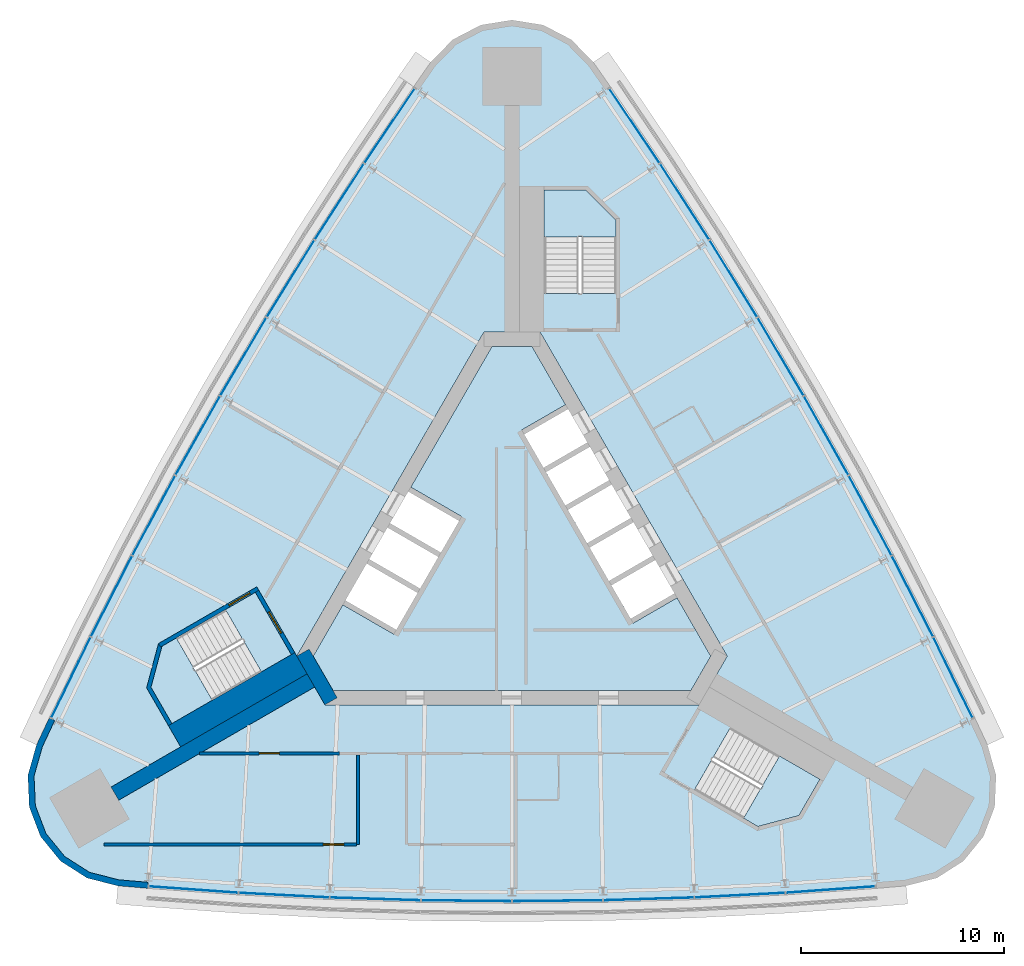
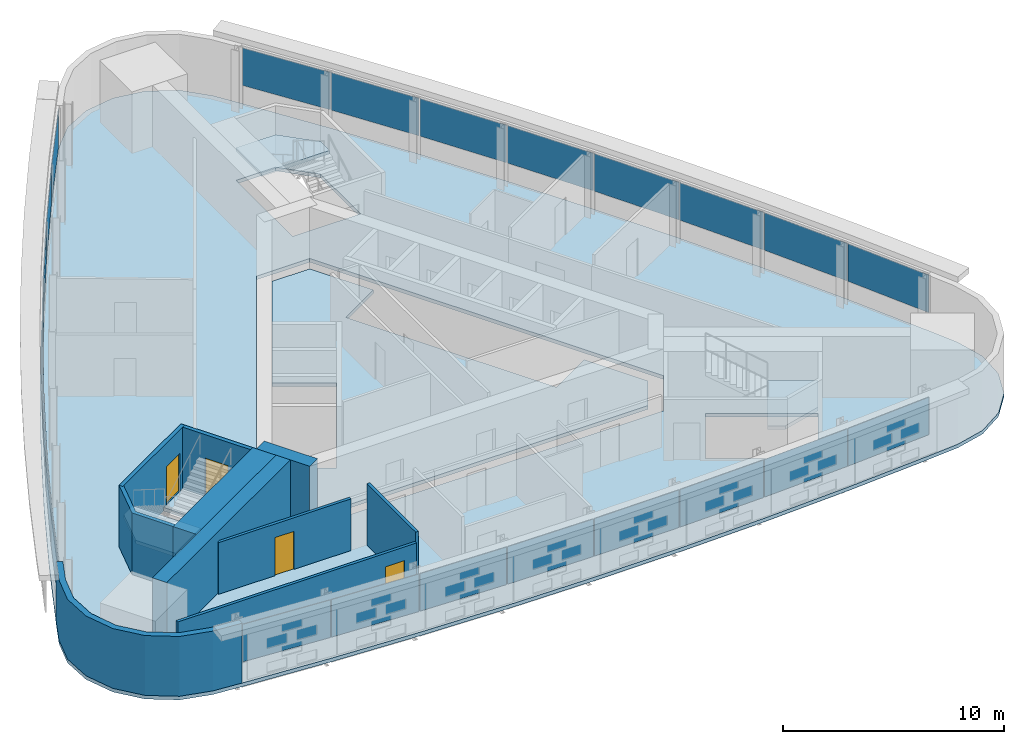
# One storey, part 8 of 13: 24 plates, 10 walls, 5 slabs, 4 doors, 4 openings, 6 elements without a shape of their own.
"""IFC4 building model written with IfcOpenShell, lengths in metres."""

import ifcopenshell
import ifcopenshell.guid

model = None  # the IFC model being written
_history = None  # IfcOwnerHistory: only IFC2X3 demands one
_inside = {}  # id of a spatial element -> (the spatial element, [elements in it])
_under = {}  # id of a project, library or spatial element -> (it, [spatial elements below it])
_declared = {}  # id of a project -> (the project, [libraries it declares])
_typed = {}  # id of a type object -> (the type object, [elements of that type])
_made_of = {}  # id of a material, layer set ... -> (it, [elements and type objects made of it])


def new_model(schema):
    """Start an empty IFC model of exactly this schema.

    Asked for "IFC4X3", IfcOpenShell would pick the latest addendum, in which some entities
    have other attributes; the version numbers below select the first issue.
    IFC2X3 requires an IfcOwnerHistory on every rooted entity: one is made here for all.
    """
    global model, _history
    if schema == "IFC4X3":
        model = ifcopenshell.file(schema_version=(4, 3, 0, 0))
    else:
        model = ifcopenshell.file(schema=schema)
    _inside.clear()
    _under.clear()
    _declared.clear()
    _typed.clear()
    _made_of.clear()
    _history = None
    if model.schema == "IFC2X3":
        org = make("IfcOrganization", Name="unknown")
        user = make(
            "IfcPersonAndOrganization",
            ThePerson=make("IfcPerson", FamilyName="unknown"),
            TheOrganization=org,
        )
        app = make(
            "IfcApplication",
            ApplicationDeveloper=org,
            Version="unknown",
            ApplicationFullName="unknown",
            ApplicationIdentifier="unknown",
        )
        _history = make(
            "IfcOwnerHistory",
            OwningUser=user,
            OwningApplication=app,
            ChangeAction="ADDED",
            CreationDate=0,
        )
    return model


def make(cls, **values):
    """One entity of the class cls with the attributes given. An attribute that is None is left unset."""
    return model.create_entity(
        cls, **{name: value for name, value in values.items() if value is not None}
    )


def rooted(cls, **values):
    """An entity with a GlobalId (a new one), such as an element, a storey or a relation."""
    return make(cls, GlobalId=ifcopenshell.guid.new(), OwnerHistory=_history, **values)


def si_unit(unit_type, name, prefix=None):
    """IfcSIUnit, for example si_unit("LENGTHUNIT", "METRE", prefix="MILLI")."""
    return make("IfcSIUnit", UnitType=unit_type, Prefix=prefix, Name=name)


def assignment(units):
    """IfcUnitAssignment: the units of a project."""
    return None if units is None else make("IfcUnitAssignment", Units=units)


def point(xyz):
    """IfcCartesianPoint."""
    return None if xyz is None else make("IfcCartesianPoint", Coordinates=xyz)


def direction(xyz):
    """IfcDirection."""
    return None if xyz is None else make("IfcDirection", DirectionRatios=xyz)


def frame(location, z_axis=None, x_axis=None):
    """IfcAxis2Placement3D, a coordinate frame: its origin and axes. An axis left out is left unset."""
    return make(
        "IfcAxis2Placement3D",
        Location=point(location),
        Axis=direction(z_axis),
        RefDirection=direction(x_axis),
    )


def frame_2d(location, x_axis=None):
    """IfcAxis2Placement2D, a coordinate frame in the plane: its origin and x axis."""
    return make(
        "IfcAxis2Placement2D", Location=point(location), RefDirection=direction(x_axis)
    )


def origin():
    """The frame at (0, 0, 0) with its axes left unset."""
    return frame((0.0, 0.0, 0.0))


def origin_2d():
    """The frame at (0, 0) in the plane with its x axis left unset."""
    return frame_2d((0.0, 0.0))


def place(relative_to, where):
    """IfcLocalPlacement: puts the frame where relative to a parent placement (None: the world)."""
    return make(
        "IfcLocalPlacement", PlacementRelTo=relative_to, RelativePlacement=where
    )


def context(
    kind, dimensions, precision=None, world=None, true_north=None, identifier=None
):
    """IfcGeometricRepresentationContext, for example the 3D "Model" context."""
    return make(
        "IfcGeometricRepresentationContext",
        ContextIdentifier=identifier,
        ContextType=kind,
        CoordinateSpaceDimension=dimensions,
        Precision=precision,
        WorldCoordinateSystem=world,
        TrueNorth=true_north,
    )


def subcontext(parent, identifier, kind, view, scale=None):
    """IfcGeometricRepresentationSubContext, for example "Body" below "Model"."""
    return make(
        "IfcGeometricRepresentationSubContext",
        ContextIdentifier=identifier,
        ContextType=kind,
        ParentContext=parent,
        TargetScale=scale,
        TargetView=view,
    )


def project(units=None, contexts=None):
    """IfcProject with its units and contexts."""
    return rooted(
        "IfcProject",
        Name="project",
        RepresentationContexts=contexts,
        UnitsInContext=assignment(units),
    )


def spatial(cls, under=None, at=None, **own):
    """A site, building, storey or space (cls), placed at a placement, below another one or the project."""
    s = rooted(cls, ObjectPlacement=at, **own)
    if under is not None:
        _under.setdefault(under.id(), (under, []))[1].append(s)
    return s


def polyline(points):
    """IfcPolyline through the points."""
    return make("IfcPolyline", Points=[point(p) for p in points])


def profile(cls, at=None, kind="AREA", **sizes):
    """A parametric profile (cls). Its sizes go by their IFC names, for example OverallWidth=200.0."""
    return make(cls, ProfileType=kind, Position=at, **sizes)


def rectangle(**sizes):
    """IfcRectangleProfileDef."""
    return profile("IfcRectangleProfileDef", **sizes)


def outline(outer, holes=None, kind="AREA"):
    """IfcArbitraryClosedProfileDef: a profile drawn as a closed curve; with holes, ...WithVoids."""
    if holes is None:
        return make("IfcArbitraryClosedProfileDef", ProfileType=kind, OuterCurve=outer)
    return make(
        "IfcArbitraryProfileDefWithVoids",
        ProfileType=kind,
        OuterCurve=outer,
        InnerCurves=holes,
    )


def extrude(swept, where, along, depth):
    """IfcExtrudedAreaSolid: the profile swept, set in the frame where, extruded along a direction by depth."""
    return make(
        "IfcExtrudedAreaSolid",
        SweptArea=swept,
        Position=where,
        ExtrudedDirection=direction(along),
        Depth=depth,
    )


def shape(context_of_items, identifier, shape_type, items):
    """IfcShapeRepresentation: the items that make up one representation, for example the "Body"."""
    return make(
        "IfcShapeRepresentation",
        ContextOfItems=context_of_items,
        RepresentationIdentifier=identifier,
        RepresentationType=shape_type,
        Items=items,
    )


def material(Name=None, Category=None):
    """IfcMaterial."""
    return make("IfcMaterial", Name=Name, Category=Category)


def layer(
    of_material, thickness, ventilated=None, Name=None, Category=None, Priority=None
):
    """IfcMaterialLayer: one layer of a wall or slab, of a material (None: an air gap)."""
    return make(
        "IfcMaterialLayer",
        Material=of_material,
        LayerThickness=thickness,
        IsVentilated=ventilated,
        Name=Name,
        Category=Category,
        Priority=Priority,
    )


def layer_set(layers, Name=None):
    """IfcMaterialLayerSet."""
    return make("IfcMaterialLayerSet", MaterialLayers=layers, LayerSetName=Name)


def made_of(thing, what):
    """Note that an element or type object is made of a material, layer set ...; save() writes the relation."""
    if what is not None:
        _made_of.setdefault(what.id(), (what, []))[1].append(thing)
    return thing


def type_object(cls, material=None, **own):
    """A type object (cls), such as IfcWallType, which elements share."""
    return made_of(rooted(cls, **own), material)


def element(
    cls,
    number,
    at=None,
    inside=None,
    cuts=None,
    type_object=None,
    material=None,
    context=None,
    identifier="Body",
    shape_type=None,
    held_by="IfcProductDefinitionShape",
    body=None,
    shapes=None,
    **own,
):
    """One element of the class cls, such as IfcWall. Its Tag is "e" and its number.

    at: its placement. inside: the storey or other place that contains it. cuts: it is an
    opening in that element (IfcRelVoidsElement). A single representation is given by context,
    identifier, shape_type and body (its items); several are given by shapes. held_by: the class
    of the entity that holds the representations. save() writes the other relations.
    """
    e = rooted(cls, Tag="e%d" % number, ObjectPlacement=at, **own)
    if body is not None:
        shapes = [shape(context, identifier, shape_type, body)]
    if shapes is not None:
        e.Representation = make(held_by, Representations=shapes)
    if inside is not None:
        _inside.setdefault(inside.id(), (inside, []))[1].append(e)
    if cuts is not None:
        rooted(
            "IfcRelVoidsElement", RelatingBuildingElement=cuts, RelatedOpeningElement=e
        )
    if type_object is not None:
        _typed.setdefault(type_object.id(), (type_object, []))[1].append(e)
    return made_of(e, material)


def fill(opening, filler):
    """IfcRelFillsElement: the door or window that sits in an opening."""
    return rooted(
        "IfcRelFillsElement",
        RelatingOpeningElement=opening,
        RelatedBuildingElement=filler,
    )


def aggregate(whole, parts):
    """IfcRelAggregates: a whole, such as a stair, and the parts it consists of."""
    return rooted("IfcRelAggregates", RelatingObject=whole, RelatedObjects=parts)


def save(model, path):
    """Write the relations noted so far, then the file.

    IfcRelAggregates (storeys below a building ...), IfcRelContainedInSpatialStructure (elements
    in a storey), IfcRelDefinesByType, IfcRelAssociatesMaterial and IfcRelDeclares: one each for
    every whole, place, type object, material and project.
    """
    for whole, parts in _under.values():
        aggregate(whole, parts)
    for where, things in _inside.values():
        rooted(
            "IfcRelContainedInSpatialStructure",
            RelatedElements=things,
            RelatingStructure=where,
        )
    for kind, things in _typed.values():
        rooted("IfcRelDefinesByType", RelatedObjects=things, RelatingType=kind)
    for what, things in _made_of.values():
        rooted("IfcRelAssociatesMaterial", RelatedObjects=things, RelatingMaterial=what)
    for by, libraries in _declared.values():
        rooted("IfcRelDeclares", RelatingContext=by, RelatedDefinitions=libraries)
    model.write(path)


model = new_model("IFC4")

# Units and contexts
model_context = context("Model", 3, precision=1e-05, world=origin(), true_north=direction((0.0, 1.0)))
body_context = subcontext(model_context, "Body", "Model", "MODEL_VIEW")
ifc_project = project(units=[si_unit("LENGTHUNIT", "METRE"), si_unit("AREAUNIT", "SQUARE_METRE"), si_unit("VOLUMEUNIT", "CUBIC_METRE"), si_unit("PLANEANGLEUNIT", "RADIAN"), si_unit("MASSUNIT", "GRAM", prefix="KILO")], contexts=[model_context])

# Site, building, storey
site_placement = place(None, origin())
site = spatial("IfcSite", under=ifc_project, at=site_placement, CompositionType="ELEMENT")
building_placement = place(site_placement, origin())
building = spatial("IfcBuilding", under=site, at=building_placement, Name="Noor Cloister Tower", CompositionType="ELEMENT")
storey_placement = place(building_placement, frame((0.0, 0.0, 143.699951171875)))
storey = spatial("IfcBuildingStorey", under=building, at=storey_placement, Name="L36", CompositionType="ELEMENT", Elevation=143.699951171875)

# Slabs
ifc_material_1 = material(Name="Concrete C40/50", Category="concrete")
ifc_layer_1 = layer(ifc_material_1, 0.199951171875)
ifc_layer_set_1 = layer_set([ifc_layer_1], Name="Core floor slab 200 C40/50")
slab_type_1 = type_object("IfcSlabType", Name="Core floor slab 200 C40/50", PredefinedType="FLOOR", material=ifc_layer_set_1)
slab_1_placement = place(storey_placement, frame((0.0, 0.0, -0.199951171875)))
element("IfcSlab", 1, at=slab_1_placement, inside=storey, type_object=slab_type_1, Name="Core floor L36", PredefinedType="FLOOR", context=body_context, shape_type="SweptSolid", body=[
    extrude(outline(polyline([(2.643798828125, 7.877197265625), (0.9814453125, 10.75634765625), (-0.9814453125, 10.75634765625), (-4.993896484375, 3.806884765625), (-2.482421875, 2.35693359375), (-5.832275390625, -3.4453125), (-8.34375, -1.995361328125), (-9.80615234375, -4.5283203125), (-8.82470703125, -6.228271484375), (8.82470703125, -6.228271484375), (9.80615234375, -4.5283203125), (8.143798828125, -1.64892578125), (5.978759765625, -2.89892578125), (0.478759765625, 6.627197265625), (2.643798828125, 7.877197265625)])), origin(), (0.0, 0.0, 1.0), 0.199951171875),
])
ifc_material_2 = material(Name="Concrete C40/50", Category="concrete")
ifc_layer_2 = layer(ifc_material_2, 0.199951171875)
ifc_layer_set_2 = layer_set([ifc_layer_2], Name="Floor slab 200 C40/50")
slab_type_2 = type_object("IfcSlabType", Name="Floor slab 200 C40/50", PredefinedType="FLOOR", material=ifc_layer_set_2)
slab_2_placement = place(storey_placement, frame((0.0, 0.0, -0.199951171875)))
element("IfcSlab", 2, at=slab_2_placement, inside=storey, type_object=slab_type_2, Name="Floor slab L36", PredefinedType="FLOOR", context=body_context, shape_type="SweptSolid", body=[
    extrude(outline(polyline([(4.013916015625, 24.76708984375), (2.92529296875, 25.88525390625), (1.54052734375, 26.604736328125), (0.0, 26.85302734375), (-1.54052734375, 26.604736328125), (-2.92529296875, 25.88525390625), (-4.013916015625, 24.76708984375), (-4.853271484375, 23.5634765625), (-7.376953125, 19.837646484375), (-9.823486328125, 16.06103515625), (-12.1923828125, 12.235107421875), (-14.482177734375, 8.361328125), (-16.69189453125, 4.44140625), (-18.821044921875, 0.47705078125), (-20.868408203125, -3.5302734375), (-22.833251953125, -7.57861328125), (-23.455810546875, -8.907470703125), (-23.8798828125, -10.4091796875), (-23.810791015625, -11.96826171875), (-23.25537109375, -13.426513671875), (-22.27001953125, -14.636474609375), (-20.95458984375, -15.47607421875), (-19.44189453125, -15.859619140625), (-17.979736328125, -15.98486328125), (-13.491455078125, -16.307373046875), (-8.99755859375, -16.5380859375), (-4.499755859375, -16.67626953125), (0.0, -16.722412109375), (4.499755859375, -16.67626953125), (8.99755859375, -16.5380859375), (13.491455078125, -16.307373046875), (17.979736328125, -15.98486328125), (19.44189453125, -15.859619140625), (20.95458984375, -15.47607421875), (22.27001953125, -14.636474609375), (23.25537109375, -13.426513671875), (23.810791015625, -11.96826171875), (23.8798828125, -10.4091796875), (23.455810546875, -8.907470703125), (22.833251953125, -7.57861328125), (20.868408203125, -3.5302734375), (18.821044921875, 0.47705078125), (16.69189453125, 4.44140625), (14.482177734375, 8.361328125), (12.1923828125, 12.235107421875), (9.823486328125, 16.06103515625), (7.376953125, 19.837646484375), (4.853271484375, 23.5634765625), (4.013916015625, 24.76708984375)]), holes=[polyline([(8.999755859375, -11.126220703125), (12.131591796875, -12.934326171875), (14.1572265625, -12.3916015625), (15.19091796875, -10.601318359375), (10.774658203125, -8.0517578125), (8.999755859375, -11.126220703125)]), polyline([(-17.81005859375, -6.064697265625), (-16.776611328125, -7.85498046875), (-12.3603515625, -5.305419921875), (-14.13525390625, -2.23095703125), (-16.662841796875, -3.690185546875), (-17.267333984375, -4.039306640625), (-17.81005859375, -6.064697265625)]), polyline([(-10.6142578125, -4.5283203125), (-9.228759765625, -6.92822265625), (9.228759765625, -6.92822265625), (10.6142578125, -4.5283203125), (1.3857421875, 11.456298828125), (-1.3857421875, 11.456298828125), (-10.6142578125, -4.5283203125)]), polyline([(3.65283203125, 18.456298828125), (1.585693359375, 18.456298828125), (1.585693359375, 13.35693359375), (5.135498046875, 13.35693359375), (5.135498046875, 16.9736328125), (3.65283203125, 18.456298828125)])]), origin(), (0.0, 0.0, 1.0), 0.199951171875),
])

# Curtain wall, plates
ifc_material_3 = material(Name="Aluminium 6063-T6 anodised", Category="aluminium")
curtain_wall_type = type_object("IfcCurtainWallType", Name="Ribbon curtain wall, upper tower CW5", PredefinedType="NOTDEFINED", material=ifc_material_3)
curtain_wall_1_placement = place(storey_placement, origin())
curtain_wall_1 = element("IfcCurtainWall", 3, at=curtain_wall_1_placement, inside=storey, type_object=curtain_wall_type, Name="CW5 L36 NW run 1", PredefinedType="NOTDEFINED")
ifc_material_4 = material(Name="Clear laminated glass 2 x 8 mm", Category="glass")
ifc_layer_3 = layer(ifc_material_4, 0.028076171875)
ifc_layer_set_3 = layer_set([ifc_layer_3], Name="Glass panel CW5")
plate_type = type_object("IfcPlateType", Name="Glass panel CW5", PredefinedType="CURTAIN_PANEL", material=ifc_layer_set_3)
plate_1_placement = place(storey_placement, frame((-6.041748046875, 21.63037109375, 1.08984375), z_axis=(0.0, 0.0, 1.0), x_axis=(-0.560807382092, -0.827946302722, 0.0)))
plate_1 = element("IfcPlate", 4, at=plate_1_placement, type_object=plate_type, Name="CW5 glass panel 1", PredefinedType="CURTAIN_PANEL", context=body_context, shape_type="SweptSolid", body=[
    extrude(rectangle(XDim=4.413818359375, YDim=0.028076171875, at=origin_2d()), origin(), (0.0, 0.0, 1.0), 2.070068359375),
])
plate_2_placement = place(storey_placement, frame((-8.516357421875, 17.89501953125, 1.08984375), z_axis=(0.0, 0.0, 1.0), x_axis=(-0.543714986817, -0.839269928635, 0.0)))
plate_2 = element("IfcPlate", 5, at=plate_2_placement, type_object=plate_type, Name="CW5 glass panel 2", PredefinedType="CURTAIN_PANEL", context=body_context, shape_type="SweptSolid", body=[
    extrude(rectangle(XDim=4.44775390625, YDim=0.028076171875, at=origin_2d()), origin(), (0.0, 0.0, 1.0), 2.070068359375),
])
plate_3_placement = place(storey_placement, frame((-10.9228515625, 14.095458984375, 1.08984375), z_axis=(0.0, 0.0, 1.0), x_axis=(-0.526394042476, -0.850240737701, 0.0)))
plate_3 = element("IfcPlate", 6, at=plate_3_placement, type_object=plate_type, Name="CW5 glass panel 3", PredefinedType="CURTAIN_PANEL", context=body_context, shape_type="SweptSolid", body=[
    extrude(rectangle(XDim=4.44775390625, YDim=0.028076171875, at=origin_2d()), origin(), (0.0, 0.0, 1.0), 2.070068359375),
])
plate_4_placement = place(storey_placement, frame((-13.251220703125, 10.247314453125, 1.08984375), z_axis=(0.0, 0.0, 1.0), x_axis=(-0.508851800866, -0.860854136748, 0.0)))
plate_4 = element("IfcPlate", 7, at=plate_4_placement, type_object=plate_type, Name="CW5 glass panel 4", PredefinedType="CURTAIN_PANEL", context=body_context, shape_type="SweptSolid", body=[
    extrude(rectangle(XDim=4.44775390625, YDim=0.028076171875, at=origin_2d()), origin(), (0.0, 0.0, 1.0), 2.070068359375),
])
plate_5_placement = place(storey_placement, frame((-15.5, 6.352294921875, 1.08984375), z_axis=(0.0, 0.0, 1.0), x_axis=(-0.491095650944, -0.871105654685, 0.0)))
plate_5 = element("IfcPlate", 8, at=plate_5_placement, type_object=plate_type, Name="CW5 glass panel 5", PredefinedType="CURTAIN_PANEL", context=body_context, shape_type="SweptSolid", body=[
    extrude(rectangle(XDim=4.44775390625, YDim=0.028076171875, at=origin_2d()), origin(), (0.0, 0.0, 1.0), 2.070068359375),
])
plate_6_placement = place(storey_placement, frame((-17.66845703125, 2.411865234375, 1.08984375), z_axis=(0.0, 0.0, 1.0), x_axis=(-0.473133056943, -0.880990982035, 0.0)))
plate_6 = element("IfcPlate", 9, at=plate_6_placement, type_object=plate_type, Name="CW5 glass panel 6", PredefinedType="CURTAIN_PANEL", context=body_context, shape_type="SweptSolid", body=[
    extrude(rectangle(XDim=4.44775390625, YDim=0.028076171875, at=origin_2d()), origin(), (0.0, 0.0, 1.0), 2.070068359375),
])
plate_7_placement = place(storey_placement, frame((-19.755615234375, -1.572021484375, 1.08984375), z_axis=(0.0, 0.0, 1.0), x_axis=(-0.454971585422, -0.890505955319, 0.0)))
plate_7 = element("IfcPlate", 10, at=plate_7_placement, type_object=plate_type, Name="CW5 glass panel 7", PredefinedType="CURTAIN_PANEL", context=body_context, shape_type="SweptSolid", body=[
    extrude(rectangle(XDim=4.44775390625, YDim=0.028076171875, at=origin_2d()), origin(), (0.0, 0.0, 1.0), 2.070068359375),
])
plate_8_placement = place(storey_placement, frame((-21.75341796875, -5.582763671875, 1.08984375), z_axis=(0.0, 0.0, 1.0), x_axis=(-0.436618840081, -0.899646590882, 0.0)))
plate_8 = element("IfcPlate", 11, at=plate_8_placement, type_object=plate_type, Name="CW5 glass panel 8", PredefinedType="CURTAIN_PANEL", context=body_context, shape_type="SweptSolid", body=[
    extrude(rectangle(XDim=4.413818359375, YDim=0.028076171875, at=origin_2d()), origin(), (0.0, 0.0, 1.0), 2.070068359375),
])
aggregate(curtain_wall_1, [plate_1, plate_2, plate_3, plate_4, plate_5, plate_6, plate_7, plate_8])

curtain_wall_2_placement = place(storey_placement, origin())
curtain_wall_2 = element("IfcCurtainWall", 12, at=curtain_wall_2_placement, inside=storey, type_object=curtain_wall_type, Name="CW5 L36 S run 2", PredefinedType="NOTDEFINED")
plate_9_placement = place(storey_placement, frame((-15.71142578125, -16.047607421875, 1.08984375), z_axis=(0.0, 0.0, 1.0), x_axis=(0.997426222173, -0.07170028816, 0.0)))
plate_9 = element("IfcPlate", 13, at=plate_9_placement, type_object=plate_type, Name="CW5 glass panel 1", PredefinedType="CURTAIN_PANEL", context=body_context, shape_type="SweptSolid", body=[
    extrude(rectangle(XDim=4.413818359375, YDim=0.028076171875, at=origin_2d()), origin(), (0.0, 0.0, 1.0), 2.070068359375),
])
plate_10_placement = place(storey_placement, frame((-11.2392578125, -16.32275390625, 1.08984375), z_axis=(0.0, 0.0, 1.0), x_axis=(0.998686572239, -0.051236026684, 0.0)))
plate_10 = element("IfcPlate", 14, at=plate_10_placement, type_object=plate_type, Name="CW5 glass panel 2", PredefinedType="CURTAIN_PANEL", context=body_context, shape_type="SweptSolid", body=[
    extrude(rectangle(XDim=4.44775390625, YDim=0.028076171875, at=origin_2d()), origin(), (0.0, 0.0, 1.0), 2.070068359375),
])
plate_11_placement = place(storey_placement, frame((-6.74560546875, -16.50732421875, 1.08984375), z_axis=(0.0, 0.0, 1.0), x_axis=(0.999527099419, -0.030750244335, 0.0)))
plate_11 = element("IfcPlate", 15, at=plate_11_placement, type_object=plate_type, Name="CW5 glass panel 3", PredefinedType="CURTAIN_PANEL", context=body_context, shape_type="SweptSolid", body=[
    extrude(rectangle(XDim=4.44775390625, YDim=0.028076171875, at=origin_2d()), origin(), (0.0, 0.0, 1.0), 2.070068359375),
])
plate_12_placement = place(storey_placement, frame((-2.248779296875, -16.599365234375, 1.08984375), z_axis=(0.0, 0.0, 1.0), x_axis=(0.999947451809, -0.010251517937, 0.0)))
plate_12 = element("IfcPlate", 16, at=plate_12_placement, type_object=plate_type, Name="CW5 glass panel 4", PredefinedType="CURTAIN_PANEL", context=body_context, shape_type="SweptSolid", body=[
    extrude(rectangle(XDim=4.44775390625, YDim=0.028076171875, at=origin_2d()), origin(), (0.0, 0.0, 1.0), 2.070068359375),
])
plate_13_placement = place(storey_placement, frame((2.248779296875, -16.599365234375, 1.08984375), z_axis=(0.0, 0.0, 1.0), x_axis=(0.999947451809, 0.010251517937, 0.0)))
plate_13 = element("IfcPlate", 17, at=plate_13_placement, type_object=plate_type, Name="CW5 glass panel 5", PredefinedType="CURTAIN_PANEL", context=body_context, shape_type="SweptSolid", body=[
    extrude(rectangle(XDim=4.44775390625, YDim=0.028076171875, at=origin_2d()), origin(), (0.0, 0.0, 1.0), 2.070068359375),
])
plate_14_placement = place(storey_placement, frame((6.74560546875, -16.50732421875, 1.08984375), z_axis=(0.0, 0.0, 1.0), x_axis=(0.999527099419, 0.030750244335, 0.0)))
plate_14 = element("IfcPlate", 18, at=plate_14_placement, type_object=plate_type, Name="CW5 glass panel 6", PredefinedType="CURTAIN_PANEL", context=body_context, shape_type="SweptSolid", body=[
    extrude(rectangle(XDim=4.44775390625, YDim=0.028076171875, at=origin_2d()), origin(), (0.0, 0.0, 1.0), 2.070068359375),
])
plate_15_placement = place(storey_placement, frame((11.2392578125, -16.32275390625, 1.08984375), z_axis=(0.0, 0.0, 1.0), x_axis=(0.998686572239, 0.051236026684, 0.0)))
plate_15 = element("IfcPlate", 19, at=plate_15_placement, type_object=plate_type, Name="CW5 glass panel 7", PredefinedType="CURTAIN_PANEL", context=body_context, shape_type="SweptSolid", body=[
    extrude(rectangle(XDim=4.44775390625, YDim=0.028076171875, at=origin_2d()), origin(), (0.0, 0.0, 1.0), 2.070068359375),
])
plate_16_placement = place(storey_placement, frame((15.71142578125, -16.047607421875, 1.08984375), z_axis=(0.0, 0.0, 1.0), x_axis=(0.997426222173, 0.07170028816, 0.0)))
plate_16 = element("IfcPlate", 20, at=plate_16_placement, type_object=plate_type, Name="CW5 glass panel 8", PredefinedType="CURTAIN_PANEL", context=body_context, shape_type="SweptSolid", body=[
    extrude(rectangle(XDim=4.413818359375, YDim=0.028076171875, at=origin_2d()), origin(), (0.0, 0.0, 1.0), 2.070068359375),
])
aggregate(curtain_wall_2, [plate_9, plate_10, plate_11, plate_12, plate_13, plate_14, plate_15, plate_16])

curtain_wall_3_placement = place(storey_placement, origin())
curtain_wall_3 = element("IfcCurtainWall", 21, at=curtain_wall_3_placement, inside=storey, type_object=curtain_wall_type, Name="CW5 L36 NE run 3", PredefinedType="NOTDEFINED")
plate_17_placement = place(storey_placement, frame((21.75341796875, -5.582763671875, 1.08984375), z_axis=(0.0, 0.0, 1.0), x_axis=(-0.436618840081, 0.899646590882, 0.0)))
plate_17 = element("IfcPlate", 22, at=plate_17_placement, type_object=plate_type, Name="CW5 glass panel 1", PredefinedType="CURTAIN_PANEL", context=body_context, shape_type="SweptSolid", body=[
    extrude(rectangle(XDim=4.413818359375, YDim=0.028076171875, at=origin_2d()), origin(), (0.0, 0.0, 1.0), 2.070068359375),
])
plate_18_placement = place(storey_placement, frame((19.755615234375, -1.572021484375, 1.08984375), z_axis=(0.0, 0.0, 1.0), x_axis=(-0.454971585422, 0.890505955319, 0.0)))
plate_18 = element("IfcPlate", 23, at=plate_18_placement, type_object=plate_type, Name="CW5 glass panel 2", PredefinedType="CURTAIN_PANEL", context=body_context, shape_type="SweptSolid", body=[
    extrude(rectangle(XDim=4.44775390625, YDim=0.028076171875, at=origin_2d()), origin(), (0.0, 0.0, 1.0), 2.070068359375),
])
plate_19_placement = place(storey_placement, frame((17.66845703125, 2.411865234375, 1.08984375), z_axis=(0.0, 0.0, 1.0), x_axis=(-0.473133056943, 0.880990982035, 0.0)))
plate_19 = element("IfcPlate", 24, at=plate_19_placement, type_object=plate_type, Name="CW5 glass panel 3", PredefinedType="CURTAIN_PANEL", context=body_context, shape_type="SweptSolid", body=[
    extrude(rectangle(XDim=4.44775390625, YDim=0.028076171875, at=origin_2d()), origin(), (0.0, 0.0, 1.0), 2.070068359375),
])
plate_20_placement = place(storey_placement, frame((15.5, 6.352294921875, 1.08984375), z_axis=(0.0, 0.0, 1.0), x_axis=(-0.491095650944, 0.871105654685, 0.0)))
plate_20 = element("IfcPlate", 25, at=plate_20_placement, type_object=plate_type, Name="CW5 glass panel 4", PredefinedType="CURTAIN_PANEL", context=body_context, shape_type="SweptSolid", body=[
    extrude(rectangle(XDim=4.44775390625, YDim=0.028076171875, at=origin_2d()), origin(), (0.0, 0.0, 1.0), 2.070068359375),
])
plate_21_placement = place(storey_placement, frame((13.251220703125, 10.247314453125, 1.08984375), z_axis=(0.0, 0.0, 1.0), x_axis=(-0.508851800866, 0.860854136748, 0.0)))
plate_21 = element("IfcPlate", 26, at=plate_21_placement, type_object=plate_type, Name="CW5 glass panel 5", PredefinedType="CURTAIN_PANEL", context=body_context, shape_type="SweptSolid", body=[
    extrude(rectangle(XDim=4.44775390625, YDim=0.028076171875, at=origin_2d()), origin(), (0.0, 0.0, 1.0), 2.070068359375),
])
plate_22_placement = place(storey_placement, frame((10.9228515625, 14.095458984375, 1.08984375), z_axis=(0.0, 0.0, 1.0), x_axis=(-0.526394042476, 0.850240737701, 0.0)))
plate_22 = element("IfcPlate", 27, at=plate_22_placement, type_object=plate_type, Name="CW5 glass panel 6", PredefinedType="CURTAIN_PANEL", context=body_context, shape_type="SweptSolid", body=[
    extrude(rectangle(XDim=4.44775390625, YDim=0.028076171875, at=origin_2d()), origin(), (0.0, 0.0, 1.0), 2.070068359375),
])
plate_23_placement = place(storey_placement, frame((8.516357421875, 17.89501953125, 1.08984375), z_axis=(0.0, 0.0, 1.0), x_axis=(-0.543714986817, 0.839269928635, 0.0)))
plate_23 = element("IfcPlate", 28, at=plate_23_placement, type_object=plate_type, Name="CW5 glass panel 7", PredefinedType="CURTAIN_PANEL", context=body_context, shape_type="SweptSolid", body=[
    extrude(rectangle(XDim=4.44775390625, YDim=0.028076171875, at=origin_2d()), origin(), (0.0, 0.0, 1.0), 2.070068359375),
])
plate_24_placement = place(storey_placement, frame((6.041748046875, 21.63037109375, 1.08984375), z_axis=(0.0, 0.0, 1.0), x_axis=(-0.560807382092, 0.827946302722, 0.0)))
plate_24 = element("IfcPlate", 29, at=plate_24_placement, type_object=plate_type, Name="CW5 glass panel 8", PredefinedType="CURTAIN_PANEL", context=body_context, shape_type="SweptSolid", body=[
    extrude(rectangle(XDim=4.413818359375, YDim=0.028076171875, at=origin_2d()), origin(), (0.0, 0.0, 1.0), 2.070068359375),
])
aggregate(curtain_wall_3, [plate_17, plate_18, plate_19, plate_20, plate_21, plate_22, plate_23, plate_24])

# Stair, slab
ifc_material_5 = material(Name="Concrete C40/50", Category="concrete")
stair_type = type_object("IfcStairType", Name="Exit stair 22 risers", PredefinedType="HALF_TURN_STAIR", material=ifc_material_5)
stair_1_placement = place(storey_placement, origin())
stair_1 = element("IfcStair", 30, at=stair_1_placement, inside=storey, type_object=stair_type, Name="Exit stair ST1 L36", PredefinedType="HALF_TURN_STAIR")
ifc_material_6 = material(Name="Concrete C40/50", Category="concrete")
ifc_layer_4 = layer(ifc_material_6, 0.199951171875)
ifc_layer_set_4 = layer_set([ifc_layer_4], Name="Stair landing 200 C40/50")
slab_type_3 = type_object("IfcSlabType", Name="Stair landing 200 C40/50", PredefinedType="LANDING", material=ifc_layer_set_4)
slab_3_placement = place(storey_placement, frame((0.0, 0.0, 1.60009765625)))
slab_3 = element("IfcSlab", 31, at=slab_3_placement, type_object=slab_type_3, Name="ST1 landing 1", PredefinedType="LANDING", context=body_context, shape_type="SweptSolid", body=[
    extrude(outline(polyline([(5.135498046875, 16.15576171875), (5.135498046875, 16.9736328125), (3.65283203125, 18.456298828125), (1.585693359375, 18.456298828125), (1.585693359375, 16.15576171875), (5.135498046875, 16.15576171875)])), origin(), (0.0, 0.0, 1.0), 0.199951171875),
])
aggregate(stair_1, [slab_3])

stair_2_placement = place(storey_placement, origin())
stair_2 = element("IfcStair", 32, at=stair_2_placement, inside=storey, type_object=stair_type, Name="Exit stair ST2 L36", PredefinedType="HALF_TURN_STAIR")
slab_4_placement = place(storey_placement, frame((0.0, 0.0, 1.60009765625)))
slab_4 = element("IfcSlab", 33, at=slab_4_placement, type_object=slab_type_3, Name="ST2 landing 1", PredefinedType="LANDING", context=body_context, shape_type="SweptSolid", body=[
    extrude(outline(polyline([(-16.55908203125, -3.63037109375), (-17.267333984375, -4.039306640625), (-17.81005859375, -6.064697265625), (-16.776611328125, -7.85498046875), (-14.7841796875, -6.70458984375), (-16.55908203125, -3.63037109375)])), origin(), (0.0, 0.0, 1.0), 0.199951171875),
])
aggregate(stair_2, [slab_4])

stair_3_placement = place(storey_placement, origin())
stair_3 = element("IfcStair", 34, at=stair_3_placement, inside=storey, type_object=stair_type, Name="Exit stair ST3 L36", PredefinedType="HALF_TURN_STAIR")
slab_5_placement = place(storey_placement, frame((0.0, 0.0, 1.60009765625)))
slab_5 = element("IfcSlab", 35, at=slab_5_placement, type_object=slab_type_3, Name="ST3 landing 1", PredefinedType="LANDING", context=body_context, shape_type="SweptSolid", body=[
    extrude(outline(polyline([(11.423583984375, -12.525390625), (12.131591796875, -12.934326171875), (14.1572265625, -12.3916015625), (15.19091796875, -10.601318359375), (13.198486328125, -9.451171875), (11.423583984375, -12.525390625)])), origin(), (0.0, 0.0, 1.0), 0.199951171875),
])
aggregate(stair_3, [slab_5])

# Walls
ifc_material_7 = material(Name="Concrete C70/85", Category="concrete")
ifc_layer_5 = layer(ifc_material_7, 0.75)
ifc_layer_set_5 = layer_set([ifc_layer_5], Name="Buttress wall 750 C70/85")
wall_type_1 = type_object("IfcWallType", Name="Buttress wall 750 C70/85", PredefinedType="SHEAR", material=ifc_layer_set_5)
wall_1_placement = place(storey_placement, frame((-9.921630859375, -5.728271484375, -0.199951171875), z_axis=(0.0, 0.0, 1.0), x_axis=(-0.866023928423, -0.500002555393, 0.0)))
element("IfcWall", 36, at=wall_1_placement, inside=storey, type_object=wall_type_1, Name="Buttress wall SW L36", PredefinedType="SHEAR", context=body_context, shape_type="SweptSolid", body=[
    extrude(rectangle(XDim=11.16650390625, YDim=0.75, at=frame_2d((5.583251953125, 0.0))), origin(), (0.0, 0.0, 1.0), 3.60009765625),
])
ifc_material_8 = material(Name="Concrete C70/85", Category="concrete")
ifc_layer_6 = layer(ifc_material_8, 0.699951171875)
ifc_layer_set_6 = layer_set([ifc_layer_6], Name="Core wall 700 C70/85")
wall_type_2 = type_object("IfcWallType", Name="Core wall 700 C70/85", PredefinedType="SHEAR", material=ifc_layer_set_6)
wall_2_placement = place(storey_placement, frame((-10.311279296875, -4.353271484375, -0.199951171875), z_axis=(0.0, 0.0, 1.0), x_axis=(0.500042739161, -0.866000726912, 0.0)))
element("IfcWall", 37, at=wall_2_placement, inside=storey, type_object=wall_type_2, Name="Core wall L36 6", PredefinedType="SHEAR", context=body_context, shape_type="SweptSolid", body=[
    extrude(rectangle(XDim=2.771240234375, YDim=0.699951171875, at=frame_2d((1.3857421875, 0.0))), origin(), (0.0, 0.0, 1.0), 3.60009765625),
])

# Wall, opening, door
ifc_material_9 = material(Name="Gypsum board partition on steel studs, 150 mm", Category="steel")
ifc_layer_7 = layer(ifc_material_9, 0.14990234375)
ifc_layer_set_7 = layer_set([ifc_layer_7], Name="Flat wall 150")
wall_type_3 = type_object("IfcWallType", Name="Flat wall 150", PredefinedType="PARTITIONING", material=ifc_layer_set_7)
wall_3_placement = place(storey_placement, frame((-15.406982421875, -9.328125, 0.0), z_axis=(0.0, 0.0, 1.0), x_axis=(1.0, 0.0, 0.0)))
wall_3 = element("IfcWall", 38, at=wall_3_placement, inside=storey, type_object=wall_type_3, Name="Wall L36-W08", PredefinedType="PARTITIONING", context=body_context, shape_type="SweptSolid", body=[
    extrude(rectangle(XDim=6.905517578125, YDim=0.14990234375, at=frame_2d((3.45263671875, 0.0))), origin(), (0.0, 0.0, 1.0), 2.85205078125),
])
opening_1_placement = place(wall_3_placement, frame((2.927734375, 0.0, 0.0)))
opening_1 = element("IfcOpeningElement", 39, at=opening_1_placement, cuts=wall_3, Name="Opening L36-007", PredefinedType="OPENING", context=body_context, shape_type="SweptSolid", body=[
    extrude(rectangle(XDim=1.0, YDim=2.10009765625, at=frame_2d((0.5, 1.050048828125))), frame((0.0, 0.0849609375, 0.0), z_axis=(0.0, -1.0, 0.0), x_axis=(1.0, 0.0, 0.0)), (0.0, 0.0, 1.0), 0.169921875),
])
ifc_material_10 = material(Name="Timber door leaf with steel frame", Category="steel")
door_type_1 = type_object("IfcDoorType", Name="Interior door 1000 FD60", OperationType="NOTDEFINED", PredefinedType="DOOR", material=ifc_material_10)
door_1_placement = place(opening_1_placement, origin())
door_1 = element("IfcDoor", 40, at=door_1_placement, inside=storey, type_object=door_type_1, Name="Door L36-007", OperationType="SINGLE_SWING_LEFT", OverallHeight=2.10009765625, OverallWidth=1.0, PredefinedType="DOOR", context=body_context, shape_type="SweptSolid", body=[
    extrude(rectangle(XDim=1.0, YDim=2.10009765625, at=frame_2d((0.5, 1.050048828125))), frame((0.0, 0.02490234375, 0.0), z_axis=(0.0, -1.0, 0.0), x_axis=(1.0, 0.0, 0.0)), (0.0, 0.0, 1.0), 0.050048828125),
])
fill(opening_1, door_1)

# Wall
wall_4_placement = place(storey_placement, frame((-7.599853515625, -9.4033203125, 0.0), z_axis=(0.0, 0.0, 1.0), x_axis=(0.0, -1.0, 0.0)))
element("IfcWall", 41, at=wall_4_placement, inside=storey, type_object=wall_type_3, Name="Wall L36-W12", PredefinedType="PARTITIONING", context=body_context, shape_type="SweptSolid", body=[
    extrude(rectangle(XDim=4.41650390625, YDim=0.14990234375, at=frame_2d((2.208251953125, 0.0))), origin(), (0.0, 0.0, 1.0), 3.400146484375),
])

# Wall, opening, door
wall_5_placement = place(storey_placement, frame((-20.136474609375, -13.81982421875, 0.0), z_axis=(0.0, 0.0, 1.0), x_axis=(1.0, 0.0, 0.0)))
wall_5 = element("IfcWall", 42, at=wall_5_placement, inside=storey, type_object=wall_type_3, Name="Wall L36-W14", PredefinedType="PARTITIONING", context=body_context, shape_type="SweptSolid", body=[
    extrude(rectangle(XDim=12.461669921875, YDim=0.14990234375, at=frame_2d((6.23095703125, 0.0))), origin(), (0.0, 0.0, 1.0), 2.85205078125),
])
opening_2_placement = place(wall_5_placement, frame((10.836669921875, 0.0, 0.0)))
opening_2 = element("IfcOpeningElement", 43, at=opening_2_placement, cuts=wall_5, Name="Opening L36-006", PredefinedType="OPENING", context=body_context, shape_type="SweptSolid", body=[
    extrude(rectangle(XDim=1.0, YDim=2.10009765625, at=frame_2d((0.5, 1.050048828125))), frame((0.0, 0.0849609375, 0.0), z_axis=(0.0, -1.0, 0.0), x_axis=(1.0, 0.0, 0.0)), (0.0, 0.0, 1.0), 0.169921875),
])
door_2_placement = place(opening_2_placement, origin())
door_2 = element("IfcDoor", 44, at=door_2_placement, inside=storey, type_object=door_type_1, Name="Door L36-006", OperationType="SINGLE_SWING_RIGHT", OverallHeight=2.10009765625, OverallWidth=1.0, PredefinedType="DOOR", context=body_context, shape_type="SweptSolid", body=[
    extrude(rectangle(XDim=1.0, YDim=2.10009765625, at=frame_2d((0.5, 1.050048828125))), frame((0.0, 0.02490234375, 0.0), z_axis=(0.0, -1.0, 0.0), x_axis=(1.0, 0.0, 0.0)), (0.0, 0.0, 1.0), 0.050048828125),
])
fill(opening_2, door_2)

# Walls
ifc_material_11 = material(Name="Limestone", Category="masonry")
ifc_layer_8 = layer(ifc_material_11, 0.300048828125)
ifc_layer_set_8 = layer_set([ifc_layer_8], Name="Limestone cladding 300")
wall_type_4 = type_object("IfcWallType", Name="Limestone cladding 300", PredefinedType="NOTDEFINED", material=ifc_layer_set_8)
wall_6_placement = place(storey_placement, origin())
element("IfcWall", 45, at=wall_6_placement, inside=storey, type_object=wall_type_4, Name="Limestone pier cladding L36 1.1", PredefinedType="NOTDEFINED", context=body_context, shape_type="SweptSolid", body=[
    extrude(outline(polyline([(-22.833251953125, -7.57861328125), (-23.455810546875, -8.907470703125), (-23.8798828125, -10.4091796875), (-23.810791015625, -11.96826171875), (-23.25537109375, -13.426513671875), (-22.27001953125, -14.636474609375), (-20.95458984375, -15.47607421875), (-19.44189453125, -15.859619140625), (-17.979736328125, -15.98486328125), (-17.954345703125, -15.685791015625), (-19.39208984375, -15.56298828125), (-20.833984375, -15.197021484375), (-22.06787109375, -14.40966796875), (-22.9921875, -13.274658203125), (-23.51318359375, -11.906494140625), (-23.578125, -10.444091796875), (-23.173828125, -9.012451171875), (-22.5615234375, -7.705810546875), (-22.833251953125, -7.57861328125)])), origin(), (0.0, 0.0, 1.0), 3.300048828125),
])
ifc_material_12 = material(Name="Concrete C70/85", Category="concrete")
ifc_layer_9 = layer(ifc_material_12, 1.2109375)
ifc_layer_set_9 = layer_set([ifc_layer_9], Name="Stair enclosure wall 1211 C70/85")
wall_type_5 = type_object("IfcWallType", Name="Stair enclosure wall 1211 C70/85", PredefinedType="SHEAR", material=ifc_layer_set_9)
wall_7_placement = place(storey_placement, frame((-10.41162109375, -4.879150390625, -0.199951171875), z_axis=(0.0, 0.0, 1.0), x_axis=(-0.866026919366, -0.499997374926, 0.0)))
element("IfcWall", 46, at=wall_7_placement, inside=storey, type_object=wall_type_5, Name="Stair enclosure wall ST2 L36 riser side", PredefinedType="SHEAR", context=body_context, shape_type="SweptSolid", body=[
    extrude(rectangle(XDim=7.2001953125, YDim=1.210693359375, at=frame_2d((3.60009765625, 0.0))), origin(), (0.0, 0.0, 1.0), 3.60009765625),
])

# Wall, opening, door
ifc_material_13 = material(Name="Concrete C70/85", Category="concrete")
ifc_layer_10 = layer(ifc_material_13, 0.199951171875)
ifc_layer_set_10 = layer_set([ifc_layer_10], Name="Stair enclosure wall 200 C70/85")
wall_type_6 = type_object("IfcWallType", Name="Stair enclosure wall 200 C70/85", PredefinedType="SHEAR", material=ifc_layer_set_10)
wall_8_placement = place(storey_placement, frame((-12.575927734375, -1.33056640625, -0.199951171875), z_axis=(0.0, 0.0, 1.0), x_axis=(0.499970499736, -0.8660424351, 0.0)))
wall_8 = element("IfcWall", 47, at=wall_8_placement, inside=storey, type_object=wall_type_6, Name="Stair enclosure wall ST2 L36 near end", PredefinedType="SHEAR", context=body_context, shape_type="SweptSolid", body=[
    extrude(rectangle(XDim=3.550048828125, YDim=0.199951171875, at=frame_2d((1.77490234375, 0.0))), origin(), (0.0, 0.0, 1.0), 3.60009765625),
])
opening_3_placement = place(wall_8_placement, frame((1.175048828125, 0.0, 0.199951171875)))
opening_3 = element("IfcOpeningElement", 48, at=opening_3_placement, cuts=wall_8, Name="Opening L36-ST2L", PredefinedType="OPENING", context=body_context, shape_type="SweptSolid", body=[
    extrude(rectangle(XDim=1.199951171875, YDim=2.10009765625, at=frame_2d((0.60009765625, 1.050048828125))), frame((0.0, 0.10986328125, 0.0), z_axis=(0.0, -1.0, 0.0), x_axis=(1.0, 0.0, 0.0)), (0.0, 0.0, 1.0), 0.219970703125),
])
ifc_material_14 = material(Name="Steel", Category="steel")
door_type_2 = type_object("IfcDoorType", Name="Stair door 1200 x 2100 FD120", OperationType="SINGLE_SWING_LEFT", PredefinedType="DOOR", material=ifc_material_14)
door_3_placement = place(opening_3_placement, origin())
door_3 = element("IfcDoor", 49, at=door_3_placement, inside=storey, type_object=door_type_2, Name="Stair door ST2 L36", OperationType="SINGLE_SWING_RIGHT", OverallHeight=2.10009765625, OverallWidth=1.199951171875, PredefinedType="DOOR", context=body_context, shape_type="SweptSolid", body=[
    extrude(rectangle(XDim=1.199951171875, YDim=2.10009765625, at=frame_2d((0.60009765625, 1.050048828125))), frame((0.0, 0.02490234375, 0.0), z_axis=(0.0, -1.0, 0.0), x_axis=(1.0, 0.0, 0.0)), (0.0, 0.0, 1.0), 0.050048828125),
])
fill(opening_3, door_3)

wall_9_placement = place(storey_placement, frame((-12.539306640625, -1.194091796875, -0.199951171875), z_axis=(0.0, 0.0, 1.0), x_axis=(-0.866045472092, -0.499965239061, 0.0)))
wall_9 = element("IfcWall", 50, at=wall_9_placement, inside=storey, type_object=wall_type_6, Name="Stair enclosure wall ST2 L36 outer side", PredefinedType="SHEAR", context=body_context, shape_type="SweptSolid", body=[
    extrude(rectangle(XDim=5.60009765625, YDim=0.199951171875, at=frame_2d((2.800048828125, 0.0))), origin(), (0.0, 0.0, 1.0), 3.60009765625),
])
opening_4_placement = place(wall_9_placement, frame((0.449951171875, 0.0, 0.199951171875)))
opening_4 = element("IfcOpeningElement", 51, at=opening_4_placement, cuts=wall_9, Name="Opening L36-ST2C", PredefinedType="OPENING", context=body_context, shape_type="SweptSolid", body=[
    extrude(rectangle(XDim=1.199951171875, YDim=2.10009765625, at=frame_2d((0.60009765625, 1.050048828125))), frame((0.0, 0.10986328125, 0.0), z_axis=(0.0, -1.0, 0.0), x_axis=(1.0, 0.0, 0.0)), (0.0, 0.0, 1.0), 0.219970703125),
])
door_4_placement = place(opening_4_placement, origin())
door_4 = element("IfcDoor", 52, at=door_4_placement, inside=storey, type_object=door_type_2, Name="Stair door ST2 L36", OperationType="SINGLE_SWING_LEFT", OverallHeight=2.10009765625, OverallWidth=1.199951171875, PredefinedType="DOOR", context=body_context, shape_type="SweptSolid", body=[
    extrude(rectangle(XDim=1.199951171875, YDim=2.10009765625, at=frame_2d((0.60009765625, 1.050048828125))), frame((0.0, 0.02490234375, 0.0), z_axis=(0.0, -1.0, 0.0), x_axis=(1.0, 0.0, 0.0)), (0.0, 0.0, 1.0), 0.050048828125),
])
fill(opening_4, door_4)

# Wall
ifc_material_15 = material(Name="Concrete C70/85", Category="concrete")
wall_type_7 = type_object("IfcWallType", Name="Stair far end wall C70/85", PredefinedType="SHEAR", material=ifc_material_15)
wall_10_placement = place(storey_placement, frame((0.0, 0.0, -0.199951171875)))
element("IfcWall", 53, at=wall_10_placement, inside=storey, type_object=wall_type_7, Name="Stair enclosure wall ST2 L36 far end", PredefinedType="SHEAR", context=body_context, shape_type="SweptSolid", body=[
    extrude(outline(polyline([(-17.439208984375, -3.907470703125), (-18.024658203125, -6.093017578125), (-16.94970703125, -7.955078125), (-16.776611328125, -7.85498046875), (-17.81005859375, -6.064697265625), (-17.267333984375, -4.039306640625), (-17.339111328125, -4.08056640625), (-17.339111328125, -4.08056640625), (-17.339111328125, -4.08056640625), (-17.339111328125, -4.08056640625), (-17.339111328125, -4.08056640625), (-17.339111328125, -4.08056640625), (-17.339111328125, -4.08056640625), (-17.339111328125, -4.08056640625), (-17.339111328125, -4.08056640625), (-17.339111328125, -4.08056640625), (-17.339111328125, -4.08056640625), (-17.339111328125, -4.08056640625), (-17.339111328125, -4.08056640625), (-17.339111328125, -4.08056640625), (-17.339111328125, -4.08056640625), (-17.339111328125, -4.08056640625), (-17.339111328125, -4.08056640625), (-17.439208984375, -3.907470703125)])), origin(), (0.0, 0.0, 1.0), 3.60009765625),
])

save(model, "model.ifc")
